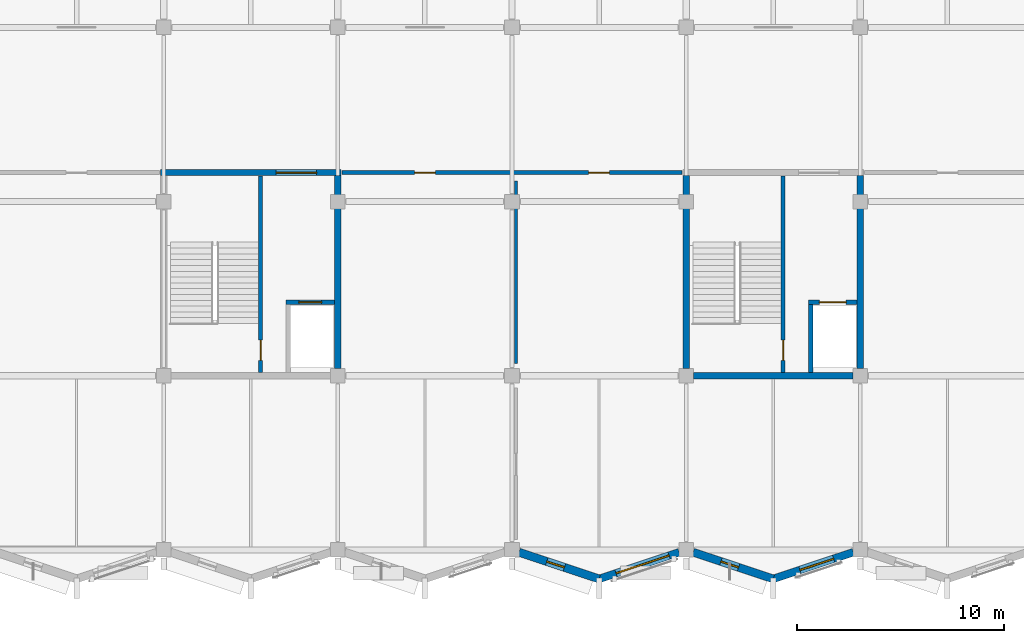
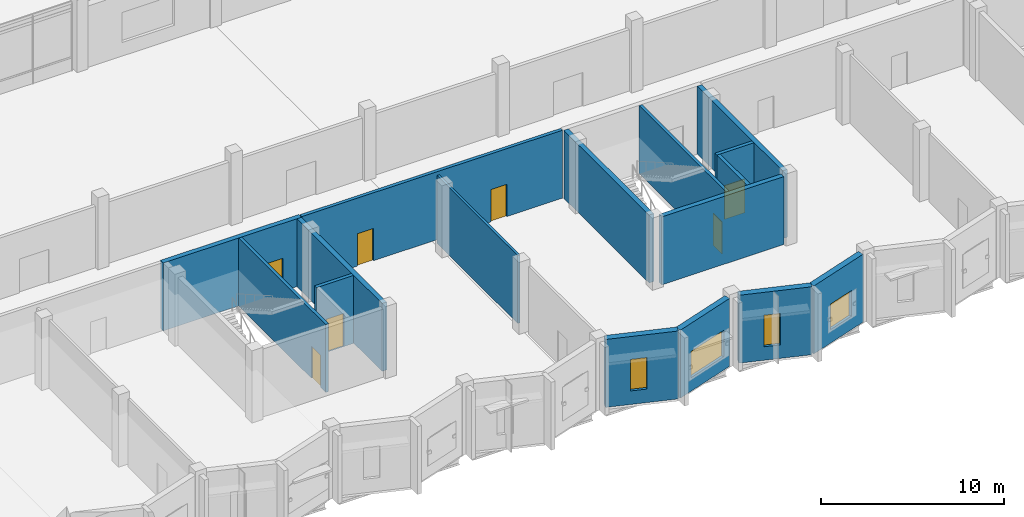
# One storey, part 86 of 110: 16 walls, 7 doors, 4 windows, 11 openings.
"""IFC4 building model written with IfcOpenShell, lengths in metres."""

from ifc_helpers import new_model, si_unit, direction, frame, frame_2d, origin, place, context, subcontext, project, spatial, rectangle, extrude, material, layer, layer_set, type_object, element, fill, save


model = new_model("IFC4")

# Units and contexts
model_context = context("Model", 3, precision=1e-05, world=origin(), true_north=direction((0.0, 1.0)))
body_context = subcontext(model_context, "Body", "Model", "MODEL_VIEW")
ifc_project = project(units=[si_unit("LENGTHUNIT", "METRE"), si_unit("AREAUNIT", "SQUARE_METRE"), si_unit("VOLUMEUNIT", "CUBIC_METRE"), si_unit("PLANEANGLEUNIT", "RADIAN"), si_unit("MASSUNIT", "GRAM", prefix="KILO")], contexts=[model_context])

# Site, building, storey
site_placement = place(None, origin())
site = spatial("IfcSite", under=ifc_project, at=site_placement, CompositionType="ELEMENT")
building_placement = place(site_placement, origin())
building = spatial("IfcBuilding", under=site, at=building_placement, Name="Qawsi Khor Wholesale Market", CompositionType="ELEMENT")
storey_placement = place(building_placement, frame((0.0, 0.0, 11.39990234375)))
storey = spatial("IfcBuildingStorey", under=building, at=storey_placement, Name="L02", CompositionType="ELEMENT", Elevation=11.39990234375)

# Wall, opening, door
ifc_material_1 = material(Name="Concrete C40/50", Category="concrete")
ifc_layer_1 = layer(ifc_material_1, 0.300048828125, Name="Concrete C40/50")
ifc_layer_set_1 = layer_set([ifc_layer_1], Name="Concrete C40/50")
wall_type_1 = type_object("IfcWallType", Name="Core Shear Wall RC 300 C40/50", PredefinedType="SHEAR", material=ifc_layer_set_1)
wall_1_placement = place(storey_placement, frame((92.25, 18.199951171875, 0.0), z_axis=(0.0, 0.0, 1.0), x_axis=(1.0, 0.0, 0.0)))
wall_1 = element("IfcWall", 1, at=wall_1_placement, inside=storey, type_object=wall_type_1, Name="Core C03 north shear wall L02", PredefinedType="SHEAR", context=body_context, shape_type="SweptSolid", body=[
    extrude(rectangle(XDim=8.699951171875, YDim=0.300048828125, at=frame_2d((4.35009765625, 0.0))), origin(), (0.0, 0.0, 1.0), 4.52001953125),
])
opening_1_placement = place(wall_1_placement, frame((5.570068359375, 0.0, 0.0)))
opening_1 = element("IfcOpeningElement", 2, at=opening_1_placement, cuts=wall_1, Name="Opening ID-01", PredefinedType="OPENING", context=body_context, shape_type="SweptSolid", body=[
    extrude(rectangle(XDim=1.9599609375, YDim=2.199951171875, at=frame_2d((0.97998046875, 1.10009765625))), frame((0.0, 0.159912109375, 0.0), z_axis=(0.0, -1.0, 0.0), x_axis=(1.0, 0.0, 0.0)), (0.0, 0.0, 1.0), 0.320068359375),
])
ifc_material_2 = material(Name="Steel Fire Door", Category="steel")
door_type_1 = type_object("IfcDoorType", Name="Stair & Core Fire Door 1960x2200 FD90S", OperationType="NOTDEFINED", PredefinedType="DOOR", material=ifc_material_2)
door_1_placement = place(opening_1_placement, origin())
door_1 = element("IfcDoor", 3, at=door_1_placement, inside=storey, type_object=door_type_1, Name="Core C03 fire door L02", OperationType="DOUBLE_DOOR_SINGLE_SWING", OverallHeight=2.199951171875, OverallWidth=1.9599609375, PredefinedType="DOOR", context=body_context, shape_type="SweptSolid", body=[
    extrude(rectangle(XDim=1.9599609375, YDim=2.199951171875, at=frame_2d((0.97998046875, 1.10009765625))), frame((0.0, 0.02490234375, 0.0), z_axis=(0.0, -1.0, 0.0), x_axis=(1.0, 0.0, 0.0)), (0.0, 0.0, 1.0), 0.050048828125),
])
fill(opening_1, door_1)

# Walls
wall_2_placement = place(storey_placement, frame((100.800048828125, 18.050048828125, 0.0), z_axis=(0.0, 0.0, 1.0), x_axis=(0.0, -1.0, 0.0)))
element("IfcWall", 4, at=wall_2_placement, inside=storey, type_object=wall_type_1, Name="Core C03 east shear wall L02", PredefinedType="SHEAR", context=body_context, shape_type="SweptSolid", body=[
    extrude(rectangle(XDim=9.295166015625, YDim=0.300048828125, at=frame_2d((4.6474609375, 0.0))), origin(), (0.0, 0.0, 1.0), 4.52001953125),
])
wall_3_placement = place(storey_placement, frame((125.64501953125, 8.39990234375, 0.0), z_axis=(0.0, 0.0, 1.0), x_axis=(-1.0, 0.0, 0.0)))
element("IfcWall", 5, at=wall_3_placement, inside=storey, type_object=wall_type_1, Name="Core C04 south shear wall L02", PredefinedType="SHEAR", context=body_context, shape_type="SweptSolid", body=[
    extrude(rectangle(XDim=7.68994140625, YDim=0.300048828125, at=frame_2d((3.844970703125, 0.0))), origin(), (0.0, 0.0, 1.0), 4.52001953125),
])
for number, where, z_axis, x_axis, name in (
    (6, (117.60009765625, 8.7548828125, 0.0), (0.0, 0.0, 1.0), (0.0, 1.0, 0.0), "Core C04 west shear wall L02"),
    (7, (126.0, 18.050048828125, 0.0), (0.0, 0.0, 1.0), (0.0, -1.0, 0.0), "Core C04 east shear wall L02"),
):
    element("IfcWall", number, at=place(storey_placement, frame(where, z_axis=z_axis, x_axis=x_axis)), inside=storey, type_object=wall_type_1, Name=name, PredefinedType="SHEAR", context=body_context, shape_type="SweptSolid", body=[
        extrude(rectangle(XDim=9.295166015625, YDim=0.300048828125, at=frame_2d((4.6474609375, 0.0))), origin(), (0.0, 0.0, 1.0), 4.52001953125),
    ])

# Wall, openings, doors
ifc_material_3 = material(Name="Gypsum Fireboard on Steel Stud", Category="steel")
ifc_layer_2 = layer(ifc_material_3, 0.2099609375, Name="Gypsum Fireboard on Steel Stud")
ifc_layer_set_2 = layer_set([ifc_layer_2], Name="Gypsum Fireboard on Steel Stud")
wall_type_2 = type_object("IfcWallType", Name="Corridor Fire Partition Wall 210", PredefinedType="PARTITIONING", material=ifc_layer_set_2)
wall_4_placement = place(storey_placement, frame((101.0, 18.199951171875, 0.0), z_axis=(0.0, 0.0, 1.0), x_axis=(1.0, 0.0, 0.0)))
wall_4 = element("IfcWall", 8, at=wall_4_placement, inside=storey, type_object=wall_type_2, Name="PW-L02-081", PredefinedType="PARTITIONING", context=body_context, shape_type="SweptSolid", body=[
    extrude(rectangle(XDim=16.39990234375, YDim=0.2099609375, at=frame_2d((8.199951171875, 0.0))), origin(), (0.0, 0.0, 1.0), 4.52001953125),
])
opening_2_placement = place(wall_4_placement, frame((3.5, 0.0, 0.0)))
opening_2 = element("IfcOpeningElement", 9, at=opening_2_placement, cuts=wall_4, Name="Opening ID-06", PredefinedType="OPENING", context=body_context, shape_type="SweptSolid", body=[
    extrude(rectangle(XDim=1.0, YDim=2.14990234375, at=frame_2d((0.5, 1.074951171875))), frame((0.0, 0.114990234375, 0.0), z_axis=(0.0, -1.0, 0.0), x_axis=(1.0, 0.0, 0.0)), (0.0, 0.0, 1.0), 0.22998046875),
])
opening_3_placement = place(wall_4_placement, frame((11.89990234375, 0.0, 0.0)))
opening_3 = element("IfcOpeningElement", 10, at=opening_3_placement, cuts=wall_4, Name="Opening ID-06", PredefinedType="OPENING", context=body_context, shape_type="SweptSolid", body=[
    extrude(rectangle(XDim=1.0, YDim=2.14990234375, at=frame_2d((0.5, 1.074951171875))), frame((0.0, 0.114990234375, 0.0), z_axis=(0.0, -1.0, 0.0), x_axis=(1.0, 0.0, 0.0)), (0.0, 0.0, 1.0), 0.22998046875),
])
ifc_material_4 = material(Name="Hardwood Timber Veneer", Category="wood")
door_type_2 = type_object("IfcDoorType", Name="Traders Office Single Door 1000x2150", OperationType="NOTDEFINED", PredefinedType="DOOR", material=ifc_material_4)
door_2_placement = place(opening_2_placement, origin())
door_2 = element("IfcDoor", 11, at=door_2_placement, inside=storey, type_object=door_type_2, Name="Traders Office Single Door 1000x2150 L02-087", OperationType="SINGLE_SWING_LEFT", OverallHeight=2.14990234375, OverallWidth=1.0, PredefinedType="DOOR", context=body_context, shape_type="SweptSolid", body=[
    extrude(rectangle(XDim=1.0, YDim=2.14990234375, at=frame_2d((0.5, 1.074951171875))), frame((0.0, 0.02490234375, 0.0), z_axis=(0.0, -1.0, 0.0), x_axis=(1.0, 0.0, 0.0)), (0.0, 0.0, 1.0), 0.050048828125),
])
fill(opening_2, door_2)
door_3_placement = place(opening_3_placement, origin())
door_3 = element("IfcDoor", 12, at=door_3_placement, inside=storey, type_object=door_type_2, Name="Traders Office Single Door 1000x2150 L02-088", OperationType="SINGLE_SWING_RIGHT", OverallHeight=2.14990234375, OverallWidth=1.0, PredefinedType="DOOR", context=body_context, shape_type="SweptSolid", body=[
    extrude(rectangle(XDim=1.0, YDim=2.14990234375, at=frame_2d((0.5, 1.074951171875))), frame((0.0, 0.02490234375, 0.0), z_axis=(0.0, -1.0, 0.0), x_axis=(1.0, 0.0, 0.0)), (0.0, 0.0, 1.0), 0.050048828125),
])
fill(opening_3, door_3)

# Wall, opening, door
ifc_layer_3 = layer(ifc_material_1, 0.219970703125, Name="Concrete C40/50")
ifc_layer_set_3 = layer_set([ifc_layer_3], Name="Concrete C40/50")
wall_type_3 = type_object("IfcWallType", Name="Lift & Stair Shaft Wall RC 220", PredefinedType="SOLIDWALL", material=ifc_layer_set_3)
wall_5_placement = place(storey_placement, frame((98.300048828125, 11.949951171875, 0.0), z_axis=(0.0, 0.0, 1.0), x_axis=(1.0, 0.0, 0.0)))
wall_5 = element("IfcWall", 13, at=wall_5_placement, inside=storey, type_object=wall_type_3, Name="Lift PL-02 shaft wall N L02", PredefinedType="SOLIDWALL", context=body_context, shape_type="SweptSolid", body=[
    extrude(rectangle(XDim=2.33984375, YDim=0.219970703125, at=frame_2d((1.169921875, 0.0))), origin(), (0.0, 0.0, 1.0), 4.52001953125),
])
opening_4_placement = place(wall_5_placement, frame((0.6201171875, 0.0, 0.0)))
opening_4 = element("IfcOpeningElement", 14, at=opening_4_placement, cuts=wall_5, Name="Opening LD-P110", PredefinedType="OPENING", context=body_context, shape_type="SweptSolid", body=[
    extrude(rectangle(XDim=1.10009765625, YDim=2.199951171875, at=frame_2d((0.550048828125, 1.10009765625))), frame((0.0, 0.119873046875, 0.0), z_axis=(0.0, -1.0, 0.0), x_axis=(1.0, 0.0, 0.0)), (0.0, 0.0, 1.0), 0.239990234375),
])
ifc_material_5 = material(Name="Brushed Stainless Steel", Category="steel")
door_type_3 = type_object("IfcDoorType", Name="Passenger Lift Landing Sliding Door 1100x2200 FD90S", OperationType="NOTDEFINED", PredefinedType="DOOR", material=ifc_material_5)
door_4_placement = place(opening_4_placement, origin())
door_4 = element("IfcDoor", 15, at=door_4_placement, inside=storey, type_object=door_type_3, Name="Lift PL-02 landing door L02", OperationType="SLIDING_TO_LEFT", OverallHeight=2.199951171875, OverallWidth=1.10009765625, PredefinedType="DOOR", context=body_context, shape_type="SweptSolid", body=[
    extrude(rectangle(XDim=1.10009765625, YDim=2.199951171875, at=frame_2d((0.550048828125, 1.10009765625))), frame((0.0, 0.02490234375, 0.0), z_axis=(0.0, -1.0, 0.0), x_axis=(1.0, 0.0, 0.0)), (0.0, 0.0, 1.0), 0.050048828125),
])
fill(opening_4, door_4)

# Wall
wall_6_placement = place(storey_placement, frame((123.610107421875, 8.56005859375, 0.0), z_axis=(0.0, 0.0, 1.0), x_axis=(0.0, 1.0, 0.0)))
element("IfcWall", 16, at=wall_6_placement, inside=storey, type_object=wall_type_3, Name="Lift FF-02 shaft wall W L02", PredefinedType="SOLIDWALL", context=body_context, shape_type="SweptSolid", body=[
    extrude(rectangle(XDim=3.389892578125, YDim=0.219970703125, at=frame_2d((1.69482421875, 0.0))), origin(), (0.0, 0.0, 1.0), 4.52001953125),
])

# Wall, opening, door
wall_7_placement = place(storey_placement, frame((123.5, 11.949951171875, 0.0), z_axis=(0.0, 0.0, 1.0), x_axis=(1.0, 0.0, 0.0)))
wall_7 = element("IfcWall", 17, at=wall_7_placement, inside=storey, type_object=wall_type_3, Name="Lift FF-02 shaft wall N L02", PredefinedType="SOLIDWALL", context=body_context, shape_type="SweptSolid", body=[
    extrude(rectangle(XDim=2.340087890625, YDim=0.219970703125, at=frame_2d((1.169921875, 0.0))), origin(), (0.0, 0.0, 1.0), 4.52001953125),
])
opening_5_placement = place(wall_7_placement, frame((0.530029296875, 0.0, 0.0)))
opening_5 = element("IfcOpeningElement", 18, at=opening_5_placement, cuts=wall_7, Name="Opening LD-FF130", PredefinedType="OPENING", context=body_context, shape_type="SweptSolid", body=[
    extrude(rectangle(XDim=1.280029296875, YDim=2.25, at=frame_2d((0.64013671875, 1.125))), frame((0.0, 0.119873046875, 0.0), z_axis=(0.0, -1.0, 0.0), x_axis=(1.0, 0.0, 0.0)), (0.0, 0.0, 1.0), 0.239990234375),
])
door_type_4 = type_object("IfcDoorType", Name="Firefighting Lift Landing Sliding Door 1280x2250 FD90S", OperationType="NOTDEFINED", PredefinedType="DOOR", material=ifc_material_5)
door_5_placement = place(opening_5_placement, origin())
door_5 = element("IfcDoor", 19, at=door_5_placement, inside=storey, type_object=door_type_4, Name="Lift FF-02 landing door L02", OperationType="SLIDING_TO_LEFT", OverallHeight=2.25, OverallWidth=1.280029296875, PredefinedType="DOOR", context=body_context, shape_type="SweptSolid", body=[
    extrude(rectangle(XDim=1.280029296875, YDim=2.25, at=frame_2d((0.64013671875, 1.125))), frame((0.0, 0.02490234375, 0.0), z_axis=(0.0, -1.0, 0.0), x_axis=(1.0, 0.0, 0.0)), (0.0, 0.0, 1.0), 0.050048828125),
])
fill(opening_5, door_5)

# Wall
ifc_material_6 = material(Name="Gypsum Board on Metal Stud", Category="gypsum")
ifc_layer_4 = layer(ifc_material_6, 0.14990234375, Name="Gypsum Board on Metal Stud")
ifc_layer_set_4 = layer_set([ifc_layer_4], Name="Gypsum Board on Metal Stud")
wall_type_4 = type_object("IfcWallType", Name="Office Partition Wall 150", PredefinedType="PARTITIONING", material=ifc_layer_set_4)
wall_8_placement = place(storey_placement, frame((109.39990234375, 9.0, 0.0), z_axis=(0.0, 0.0, 1.0), x_axis=(0.0, 1.0, 0.0)))
element("IfcWall", 20, at=wall_8_placement, inside=storey, type_object=wall_type_4, Name="PW-L02-083", PredefinedType="PARTITIONING", context=body_context, shape_type="SweptSolid", body=[
    extrude(rectangle(XDim=8.800048828125, YDim=0.14990234375, at=frame_2d((4.39990234375, 0.0))), origin(), (0.0, 0.0, 1.0), 4.52001953125),
])

# Wall, opening, door
ifc_layer_5 = layer(ifc_material_1, 0.18994140625, Name="Concrete C40/50")
ifc_layer_set_5 = layer_set([ifc_layer_5], Name="Concrete C40/50")
wall_type_5 = type_object("IfcWallType", Name="Stairwell Enclosure Wall RC 190", PredefinedType="SOLIDWALL", material=ifc_layer_set_5)
wall_9_placement = place(storey_placement, frame((97.080078125, 8.56005859375, 0.0), z_axis=(0.0, 0.0, 1.0), x_axis=(0.0, 1.0, 0.0)))
wall_9 = element("IfcWall", 21, at=wall_9_placement, inside=storey, type_object=wall_type_5, Name="Core C03 stairwell enclosure wall L02", PredefinedType="SOLIDWALL", context=body_context, shape_type="SweptSolid", body=[
    extrude(rectangle(XDim=9.47998046875, YDim=0.18994140625, at=frame_2d((4.739990234375, 0.0))), origin(), (0.0, 0.0, 1.0), 4.52001953125),
])
opening_6_placement = place(wall_9_placement, frame((0.580078125, 0.0, 0.0)))
opening_6 = element("IfcOpeningElement", 22, at=opening_6_placement, cuts=wall_9, Name="Opening ID-17", PredefinedType="OPENING", context=body_context, shape_type="SweptSolid", body=[
    extrude(rectangle(XDim=0.97998046875, YDim=2.14990234375, at=frame_2d((0.489990234375, 1.074951171875))), frame((0.0, 0.10498046875, 0.0), z_axis=(0.0, -1.0, 0.0), x_axis=(1.0, 0.0, 0.0)), (0.0, 0.0, 1.0), 0.2099609375),
])
door_type_5 = type_object("IfcDoorType", Name="Core Stair Lobby Fire Door 980x2150 FD120S", OperationType="NOTDEFINED", PredefinedType="DOOR", material=ifc_material_2)
door_6_placement = place(opening_6_placement, origin())
door_6 = element("IfcDoor", 23, at=door_6_placement, inside=storey, type_object=door_type_5, Name="Core C03 stair enclosure fire door L02", OperationType="SINGLE_SWING_LEFT", OverallHeight=2.14990234375, OverallWidth=0.97998046875, PredefinedType="DOOR", context=body_context, shape_type="SweptSolid", body=[
    extrude(rectangle(XDim=0.97998046875, YDim=2.14990234375, at=frame_2d((0.489990234375, 1.074951171875))), frame((0.0, 0.02490234375, 0.0), z_axis=(0.0, -1.0, 0.0), x_axis=(1.0, 0.0, 0.0)), (0.0, 0.0, 1.0), 0.050048828125),
])
fill(opening_6, door_6)

wall_10_placement = place(storey_placement, frame((122.280029296875, 8.56005859375, 0.0), z_axis=(0.0, 0.0, 1.0), x_axis=(0.0, 1.0, 0.0)))
wall_10 = element("IfcWall", 24, at=wall_10_placement, inside=storey, type_object=wall_type_5, Name="Core C04 stairwell enclosure wall L02", PredefinedType="SOLIDWALL", context=body_context, shape_type="SweptSolid", body=[
    extrude(rectangle(XDim=9.47998046875, YDim=0.18994140625, at=frame_2d((4.739990234375, 0.0))), origin(), (0.0, 0.0, 1.0), 4.52001953125),
])
opening_7_placement = place(wall_10_placement, frame((0.580078125, 0.0, 0.0)))
opening_7 = element("IfcOpeningElement", 25, at=opening_7_placement, cuts=wall_10, Name="Opening ID-17", PredefinedType="OPENING", context=body_context, shape_type="SweptSolid", body=[
    extrude(rectangle(XDim=0.97998046875, YDim=2.14990234375, at=frame_2d((0.489990234375, 1.074951171875))), frame((0.0, 0.10498046875, 0.0), z_axis=(0.0, -1.0, 0.0), x_axis=(1.0, 0.0, 0.0)), (0.0, 0.0, 1.0), 0.2099609375),
])
door_7_placement = place(opening_7_placement, origin())
door_7 = element("IfcDoor", 26, at=door_7_placement, inside=storey, type_object=door_type_5, Name="Core C04 stair enclosure fire door L02", OperationType="SINGLE_SWING_LEFT", OverallHeight=2.14990234375, OverallWidth=0.97998046875, PredefinedType="DOOR", context=body_context, shape_type="SweptSolid", body=[
    extrude(rectangle(XDim=0.97998046875, YDim=2.14990234375, at=frame_2d((0.489990234375, 1.074951171875))), frame((0.0, 0.02490234375, 0.0), z_axis=(0.0, -1.0, 0.0), x_axis=(1.0, 0.0, 0.0)), (0.0, 0.0, 1.0), 0.050048828125),
])
fill(opening_7, door_7)

# Wall, opening, window
ifc_layer_6 = layer(ifc_material_1, 0.3701171875, Name="Concrete C40/50")
ifc_layer_set_6 = layer_set([ifc_layer_6], Name="Concrete C40/50")
wall_type_6 = type_object("IfcWallType", Name="Turned-Bay Concrete Facade Wall 370", PredefinedType="SOLIDWALL", material=ifc_layer_set_6)
wall_11_placement = place(storey_placement, frame((117.26318359375, -0.1123046875, 0.0), z_axis=(0.0, 0.0, 1.0), x_axis=(-0.948695287956, -0.316191794027, 0.0)))
wall_11 = element("IfcWall", 27, at=wall_11_placement, inside=storey, type_object=wall_type_6, Name="EW-L02-SBAY-22", PredefinedType="SOLIDWALL", context=body_context, shape_type="SweptSolid", body=[
    extrude(rectangle(XDim=4.072265625, YDim=0.3701171875, at=frame_2d((2.0361328125, 0.0))), origin(), (0.0, 0.0, 1.0), 4.52001953125),
])
opening_8_placement = place(wall_11_placement, frame((0.508056640625, 0.0, 0.89990234375)))
opening_8 = element("IfcOpeningElement", 28, at=opening_8_placement, cuts=wall_11, Name="Opening W-09", PredefinedType="OPENING", context=body_context, shape_type="SweptSolid", body=[
    extrude(rectangle(XDim=2.699951171875, YDim=1.75, at=frame_2d((1.35009765625, 0.875))), frame((0.0, 0.195068359375, 0.0), z_axis=(0.0, -1.0, 0.0), x_axis=(1.0, 0.0, 0.0)), (0.0, 0.0, 1.0), 0.39013671875),
])
ifc_material_7 = material(Name="Thermally Broken Aluminium & Low-E Glass", Category="aluminium")
window_type_1 = type_object("IfcWindowType", Name="Win W-09 Clearinghouse Wide 2700x1750", PartitioningType="SINGLE_PANEL", PredefinedType="WINDOW", material=ifc_material_7)
window_1_placement = place(opening_8_placement, origin())
window_1 = element("IfcWindow", 29, at=window_1_placement, inside=storey, type_object=window_type_1, Name="Win W-09 Clearinghouse Wide 2700x1750 062", OverallHeight=1.75, OverallWidth=2.699951171875, PartitioningType="SINGLE_PANEL", PredefinedType="WINDOW", context=body_context, shape_type="SweptSolid", body=[
    extrude(rectangle(XDim=2.699951171875, YDim=1.75, at=frame_2d((1.35009765625, 0.875))), frame((0.0, 0.030029296875, 0.0), z_axis=(0.0, -1.0, 0.0), x_axis=(1.0, 0.0, 0.0)), (0.0, 0.0, 1.0), 0.06005859375),
])
fill(opening_8, window_1)

wall_12_placement = place(storey_placement, frame((125.6630859375, -0.1123046875, 0.0), z_axis=(0.0, 0.0, 1.0), x_axis=(-0.948689293515, -0.316209779056, 0.0)))
wall_12 = element("IfcWall", 30, at=wall_12_placement, inside=storey, type_object=wall_type_6, Name="EW-L02-SBAY-24", PredefinedType="SOLIDWALL", context=body_context, shape_type="SweptSolid", body=[
    extrude(rectangle(XDim=4.072021484375, YDim=0.3701171875, at=frame_2d((2.0361328125, 0.0))), origin(), (0.0, 0.0, 1.0), 4.52001953125),
])
opening_9_placement = place(wall_12_placement, frame((0.998046875, 0.0, 0.89990234375)))
opening_9 = element("IfcOpeningElement", 31, at=opening_9_placement, cuts=wall_12, Name="Opening W-23", PredefinedType="OPENING", context=body_context, shape_type="SweptSolid", body=[
    extrude(rectangle(XDim=1.719970703125, YDim=1.699951171875, at=frame_2d((0.85986328125, 0.85009765625))), frame((0.0, 0.195068359375, 0.0), z_axis=(0.0, -1.0, 0.0), x_axis=(1.0, 0.0, 0.0)), (0.0, 0.0, 1.0), 0.39013671875),
])
window_type_2 = type_object("IfcWindowType", Name="Win W-23 East Office Punched 1720x1700", PartitioningType="SINGLE_PANEL", PredefinedType="WINDOW", material=ifc_material_7)
window_2_placement = place(opening_9_placement, origin())
window_2 = element("IfcWindow", 32, at=window_2_placement, inside=storey, type_object=window_type_2, Name="Win W-23 East Office Punched 1720x1700 064", OverallHeight=1.699951171875, OverallWidth=1.719970703125, PartitioningType="SINGLE_PANEL", PredefinedType="WINDOW", context=body_context, shape_type="SweptSolid", body=[
    extrude(rectangle(XDim=1.719970703125, YDim=1.699951171875, at=frame_2d((0.85986328125, 0.85009765625))), frame((0.0, 0.030029296875, 0.0), z_axis=(0.0, -1.0, 0.0), x_axis=(1.0, 0.0, 0.0)), (0.0, 0.0, 1.0), 0.06005859375),
])
fill(opening_9, window_2)

ifc_layer_7 = layer(ifc_material_1, 0.389892578125, Name="Concrete C40/50")
ifc_layer_set_7 = layer_set([ifc_layer_7], Name="Concrete C40/50")
wall_type_7 = type_object("IfcWallType", Name="Turned-Bay Concrete Facade Wall 390", PredefinedType="SOLIDWALL", material=ifc_layer_set_7)
wall_13_placement = place(storey_placement, frame((113.39990234375, -1.39990234375, 0.0), z_axis=(0.0, 0.0, 1.0), x_axis=(-0.948689293515, 0.316209779056, 0.0)))
wall_13 = element("IfcWall", 33, at=wall_13_placement, inside=storey, type_object=wall_type_7, Name="EW-L02-SBAY-21", PredefinedType="SOLIDWALL", context=body_context, shape_type="SweptSolid", body=[
    extrude(rectangle(XDim=4.072021484375, YDim=0.389892578125, at=frame_2d((2.0361328125, 0.0))), origin(), (0.0, 0.0, 1.0), 4.52001953125),
])
opening_10_placement = place(wall_13_placement, frame((1.762939453125, 0.0, 0.89990234375)))
opening_10 = element("IfcOpeningElement", 34, at=opening_10_placement, cuts=wall_13, Name="Opening W-02", PredefinedType="OPENING", context=body_context, shape_type="SweptSolid", body=[
    extrude(rectangle(XDim=0.89990234375, YDim=2.10009765625, at=frame_2d((0.449951171875, 1.050048828125))), frame((0.0, 0.204833984375, 0.0), z_axis=(0.0, -1.0, 0.0), x_axis=(1.0, 0.0, 0.0)), (0.0, 0.0, 1.0), 0.409912109375),
])
window_type_3 = type_object("IfcWindowType", Name="Win W-02 Deep-Set Narrow 900x2100", PartitioningType="SINGLE_PANEL", PredefinedType="WINDOW", material=ifc_material_7)
window_3_placement = place(opening_10_placement, origin())
window_3 = element("IfcWindow", 35, at=window_3_placement, inside=storey, type_object=window_type_3, Name="Win W-02 Deep-Set Narrow 900x2100 061", OverallHeight=2.10009765625, OverallWidth=0.89990234375, PartitioningType="SINGLE_PANEL", PredefinedType="WINDOW", context=body_context, shape_type="SweptSolid", body=[
    extrude(rectangle(XDim=0.89990234375, YDim=2.10009765625, at=frame_2d((0.449951171875, 1.050048828125))), frame((0.0, 0.030029296875, 0.0), z_axis=(0.0, -1.0, 0.0), x_axis=(1.0, 0.0, 0.0)), (0.0, 0.0, 1.0), 0.06005859375),
])
fill(opening_10, window_3)

wall_14_placement = place(storey_placement, frame((121.800048828125, -1.39990234375, 0.0), z_axis=(0.0, 0.0, 1.0), x_axis=(-0.948695287956, 0.316191794027, 0.0)))
wall_14 = element("IfcWall", 36, at=wall_14_placement, inside=storey, type_object=wall_type_7, Name="EW-L02-SBAY-23", PredefinedType="SOLIDWALL", context=body_context, shape_type="SweptSolid", body=[
    extrude(rectangle(XDim=4.072265625, YDim=0.389892578125, at=frame_2d((2.0361328125, 0.0))), origin(), (0.0, 0.0, 1.0), 4.52001953125),
])
opening_11_placement = place(wall_14_placement, frame((1.762939453125, 0.0, 0.89990234375)))
opening_11 = element("IfcOpeningElement", 37, at=opening_11_placement, cuts=wall_14, Name="Opening W-02", PredefinedType="OPENING", context=body_context, shape_type="SweptSolid", body=[
    extrude(rectangle(XDim=0.89990234375, YDim=2.10009765625, at=frame_2d((0.449951171875, 1.050048828125))), frame((0.0, 0.204833984375, 0.0), z_axis=(0.0, -1.0, 0.0), x_axis=(1.0, 0.0, 0.0)), (0.0, 0.0, 1.0), 0.409912109375),
])
window_4_placement = place(opening_11_placement, origin())
window_4 = element("IfcWindow", 38, at=window_4_placement, inside=storey, type_object=window_type_3, Name="Win W-02 Deep-Set Narrow 900x2100 063", OverallHeight=2.10009765625, OverallWidth=0.89990234375, PartitioningType="SINGLE_PANEL", PredefinedType="WINDOW", context=body_context, shape_type="SweptSolid", body=[
    extrude(rectangle(XDim=0.89990234375, YDim=2.10009765625, at=frame_2d((0.449951171875, 1.050048828125))), frame((0.0, 0.030029296875, 0.0), z_axis=(0.0, -1.0, 0.0), x_axis=(1.0, 0.0, 0.0)), (0.0, 0.0, 1.0), 0.06005859375),
])
fill(opening_11, window_4)

save(model, "model.ifc")
